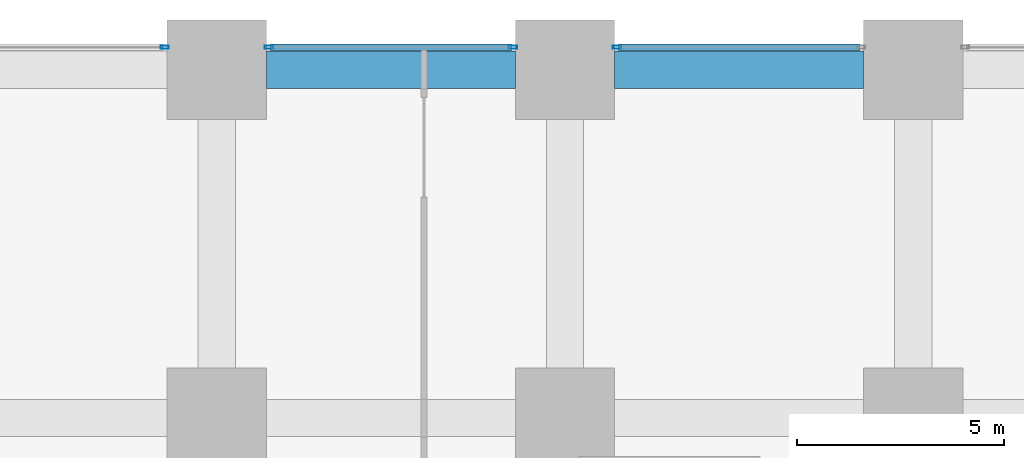
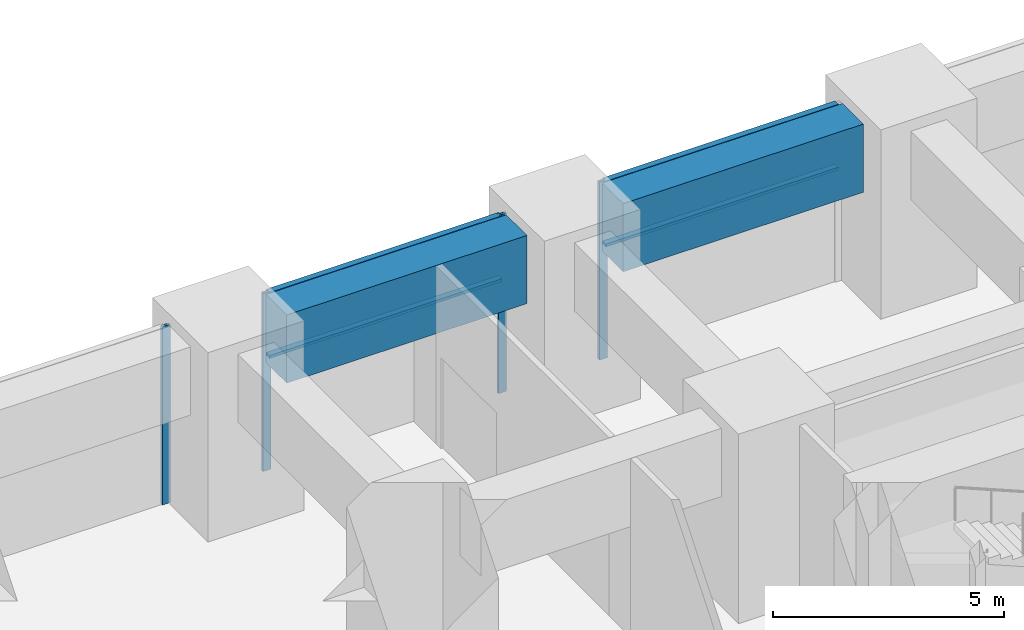
# One storey, part 25 of 49: 8 members, 2 beams, 3 elements without a shape of their own.
"""IFC4 building model written with IfcOpenShell, lengths in metres."""

from ifc_helpers import new_model, si_unit, direction, frame, origin, origin_2d, place, context, subcontext, project, spatial, rectangle, hollow_rectangle, extrude, material, material_profile, profile_set, type_object, element, aggregate, save


model = new_model("IFC4")

# Units and contexts
model_context = context("Model", 3, precision=1e-05, world=origin(), true_north=direction((0.0, 1.0)))
body_context = subcontext(model_context, "Body", "Model", "MODEL_VIEW")
ifc_project = project(units=[si_unit("LENGTHUNIT", "METRE"), si_unit("AREAUNIT", "SQUARE_METRE"), si_unit("VOLUMEUNIT", "CUBIC_METRE"), si_unit("PLANEANGLEUNIT", "RADIAN"), si_unit("MASSUNIT", "GRAM", prefix="KILO")], contexts=[model_context])

# Site, building, storey
site_placement = place(None, origin())
site = spatial("IfcSite", under=ifc_project, at=site_placement, CompositionType="ELEMENT")
building_placement = place(site_placement, origin())
building = spatial("IfcBuilding", under=site, at=building_placement, Name="Rekha Terrace Tower", CompositionType="ELEMENT")
storey_placement = place(building_placement, frame((0.0, 0.0, 5.39990234375)))
storey = spatial("IfcBuildingStorey", under=building, at=storey_placement, Name="L01", CompositionType="ELEMENT", Elevation=5.39990234375)

# Curtain wall, member
ifc_material_1 = material(Name="Aluminium framing", Category="aluminium")
curtain_wall_type = type_object("IfcCurtainWallType", Name="CW4 podium shopfront glazing", PredefinedType="USERDEFINED", material=ifc_material_1)
curtain_wall_1_placement = place(storey_placement, origin())
curtain_wall_1 = element("IfcCurtainWall", 1, at=curtain_wall_1_placement, inside=storey, type_object=curtain_wall_type, Name="CW4 shopfront curtain wall", ObjectType="SHOPFRONT CURTAIN WALL", PredefinedType="USERDEFINED")
ifc_material_2 = material(Name="Aluminium mullion section", Category="aluminium")
ifc_material_profile_1 = material_profile(ifc_material_2, hollow_rectangle(XDim=0.074951171875, YDim=0.199951171875, WallThickness=0.00390625, at=origin_2d()), Name="AL RHS 75x200")
ifc_profile_set_1 = profile_set([ifc_material_profile_1], Name="Aluminium mullion section")
member_type_1 = type_object("IfcMemberType", Name="CW4 mullion RHS 75 x 200", PredefinedType="MULLION", material=ifc_profile_set_1)
member_1_placement = place(storey_placement, frame((26.45751953125, 59.340087890625, 0.0), z_axis=(0.0, 0.0, 1.0), x_axis=(0.0, -1.0, 0.0)))
member_1 = element("IfcMember", 2, at=member_1_placement, type_object=member_type_1, Name="CW4 mullion 2", PredefinedType="MULLION", context=body_context, shape_type="SweptSolid", body=[
    extrude(hollow_rectangle(XDim=0.074951171875, YDim=0.199951171875, WallThickness=0.00390625, at=origin_2d()), origin(), (0.0, 0.0, 1.0), 4.7001953125),
])

# Curtain wall, members
curtain_wall_2_placement = place(storey_placement, origin())
curtain_wall_2 = element("IfcCurtainWall", 3, at=curtain_wall_2_placement, inside=storey, type_object=curtain_wall_type, Name="CW4 shopfront curtain wall", ObjectType="SHOPFRONT CURTAIN WALL", PredefinedType="USERDEFINED")
member_2_placement = place(storey_placement, frame((23.9423828125, 59.340087890625, 0.0), z_axis=(0.0, 0.0, 1.0), x_axis=(0.0, -1.0, 0.0)))
member_2 = element("IfcMember", 4, at=member_2_placement, type_object=member_type_1, Name="CW4 mullion 1", PredefinedType="MULLION", context=body_context, shape_type="SweptSolid", body=[
    extrude(hollow_rectangle(XDim=0.074951171875, YDim=0.199951171875, WallThickness=0.00390625, at=origin_2d()), origin(), (0.0, 0.0, 1.0), 4.7001953125),
])
member_3_placement = place(storey_placement, frame((18.0576171875, 59.340087890625, 0.0), z_axis=(0.0, 0.0, 1.0), x_axis=(0.0, -1.0, 0.0)))
member_3 = element("IfcMember", 5, at=member_3_placement, type_object=member_type_1, Name="CW4 mullion 2", PredefinedType="MULLION", context=body_context, shape_type="SweptSolid", body=[
    extrude(hollow_rectangle(XDim=0.074951171875, YDim=0.199951171875, WallThickness=0.00390625, at=origin_2d()), origin(), (0.0, 0.0, 1.0), 4.7001953125),
])

# Curtain wall, member
curtain_wall_3_placement = place(storey_placement, origin())
curtain_wall_3 = element("IfcCurtainWall", 6, at=curtain_wall_3_placement, inside=storey, type_object=curtain_wall_type, Name="CW4 shopfront curtain wall", ObjectType="SHOPFRONT CURTAIN WALL", PredefinedType="USERDEFINED")
member_4_placement = place(storey_placement, frame((15.54248046875, 59.340087890625, 0.0), z_axis=(0.0, 0.0, 1.0), x_axis=(0.0, -1.0, 0.0)))
member_4 = element("IfcMember", 7, at=member_4_placement, type_object=member_type_1, Name="CW4 mullion 1", PredefinedType="MULLION", context=body_context, shape_type="SweptSolid", body=[
    extrude(hollow_rectangle(XDim=0.074951171875, YDim=0.199951171875, WallThickness=0.00390625, at=origin_2d()), origin(), (0.0, 0.0, 1.0), 4.7001953125),
])
aggregate(curtain_wall_3, [member_4])

# Member
ifc_material_3 = material(Name="Aluminium transom section", Category="aluminium")
ifc_material_profile_2 = material_profile(ifc_material_3, hollow_rectangle(XDim=0.14990234375, YDim=0.074951171875, WallThickness=0.0029296875, at=origin_2d()), Name="AL RHS 150x75")
ifc_profile_set_2 = profile_set([ifc_material_profile_2], Name="Aluminium transom section")
member_type_2 = type_object("IfcMemberType", Name="CW4 transom RHS 75 x 150", PredefinedType="USERDEFINED", material=ifc_profile_set_2)
member_5_placement = place(storey_placement, frame((32.304931640625, 59.340087890625, 3.0), z_axis=(-1.0, 0.0, 0.0), x_axis=(0.0, -1.0, 0.0)))
member_5 = element("IfcMember", 8, at=member_5_placement, type_object=member_type_2, Name="CW4 transom 1.2", ObjectType="TRANSOM", PredefinedType="USERDEFINED", context=body_context, shape_type="SweptSolid", body=[
    extrude(hollow_rectangle(XDim=0.14990234375, YDim=0.074951171875, WallThickness=0.0029296875, at=origin_2d()), origin(), (0.0, 0.0, 1.0), 5.809814453125),
])

member_6_placement = place(storey_placement, frame((32.304931640625, 59.340087890625, 4.66259765625), z_axis=(-1.0, 0.0, 0.0), x_axis=(0.0, -1.0, 0.0)))
member_6 = element("IfcMember", 9, at=member_6_placement, type_object=member_type_2, Name="CW4 transom 1.3", ObjectType="TRANSOM", PredefinedType="USERDEFINED", context=body_context, shape_type="SweptSolid", body=[
    extrude(hollow_rectangle(XDim=0.14990234375, YDim=0.074951171875, WallThickness=0.0029296875, at=origin_2d()), origin(), (0.0, 0.0, 1.0), 5.809814453125),
])

aggregate(curtain_wall_1, [member_1, member_5, member_6])

member_7_placement = place(storey_placement, frame((23.905029296875, 59.340087890625, 3.0), z_axis=(-1.0, 0.0, 0.0), x_axis=(0.0, -1.0, 0.0)))
member_7 = element("IfcMember", 10, at=member_7_placement, type_object=member_type_2, Name="CW4 transom 1.2", ObjectType="TRANSOM", PredefinedType="USERDEFINED", context=body_context, shape_type="SweptSolid", body=[
    extrude(hollow_rectangle(XDim=0.14990234375, YDim=0.074951171875, WallThickness=0.0029296875, at=origin_2d()), origin(), (0.0, 0.0, 1.0), 5.81005859375),
])

member_8_placement = place(storey_placement, frame((23.905029296875, 59.340087890625, 4.66259765625), z_axis=(-1.0, 0.0, 0.0), x_axis=(0.0, -1.0, 0.0)))
member_8 = element("IfcMember", 11, at=member_8_placement, type_object=member_type_2, Name="CW4 transom 1.3", ObjectType="TRANSOM", PredefinedType="USERDEFINED", context=body_context, shape_type="SweptSolid", body=[
    extrude(hollow_rectangle(XDim=0.14990234375, YDim=0.074951171875, WallThickness=0.0029296875, at=origin_2d()), origin(), (0.0, 0.0, 1.0), 5.81005859375),
])

aggregate(curtain_wall_2, [member_2, member_3, member_7, member_8])

# Beams
ifc_material_4 = material(Name="Concrete M60", Category="concrete")
ifc_material_profile_3 = material_profile(ifc_material_4, rectangle(XDim=0.89990234375, YDim=1.800048828125, at=origin_2d()), Name="RC 900x1800")
ifc_profile_set_3 = profile_set([ifc_material_profile_3], Name="Concrete M60")
beam_type = type_object("IfcBeamType", Name="G1 900x1800 podium floor beam", PredefinedType="BEAM", material=ifc_profile_set_3)
for number, where, z_axis, x_axis, name in (
    (12, (18.0, 58.800048828125, 3.800048828125), (1.0, 0.0, 0.0), (0.0, 1.0, 0.0), "Beam G1 3H-4H under L02"),
    (13, (26.39990234375, 58.800048828125, 3.800048828125), (1.0, 0.0, 0.0), (0.0, 1.0, 0.0), "Beam G1 4H-5H under L02"),
):
    element("IfcBeam", number, at=place(storey_placement, frame(where, z_axis=z_axis, x_axis=x_axis)), inside=storey, type_object=beam_type, Name=name, PredefinedType="BEAM", context=body_context, shape_type="SweptSolid", body=[
        extrude(rectangle(XDim=0.89990234375, YDim=1.800048828125, at=origin_2d()), origin(), (0.0, 0.0, 1.0), 6.0),
    ])

save(model, "model.ifc")
